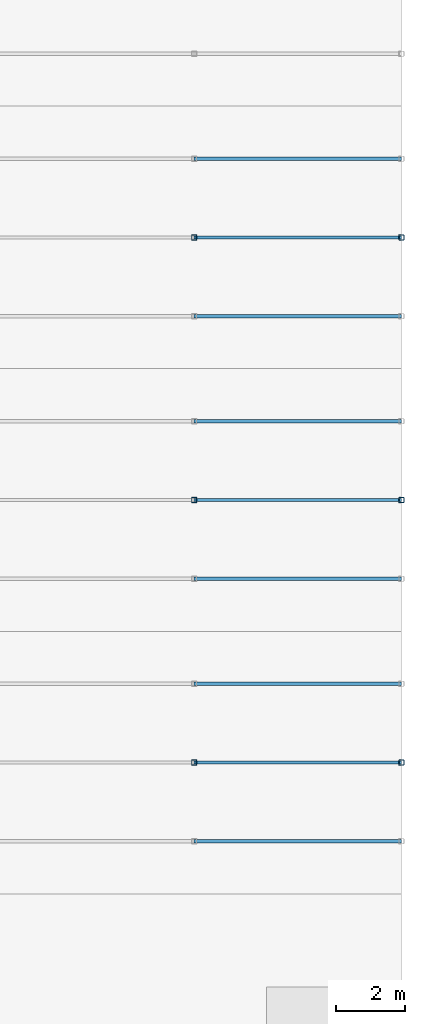
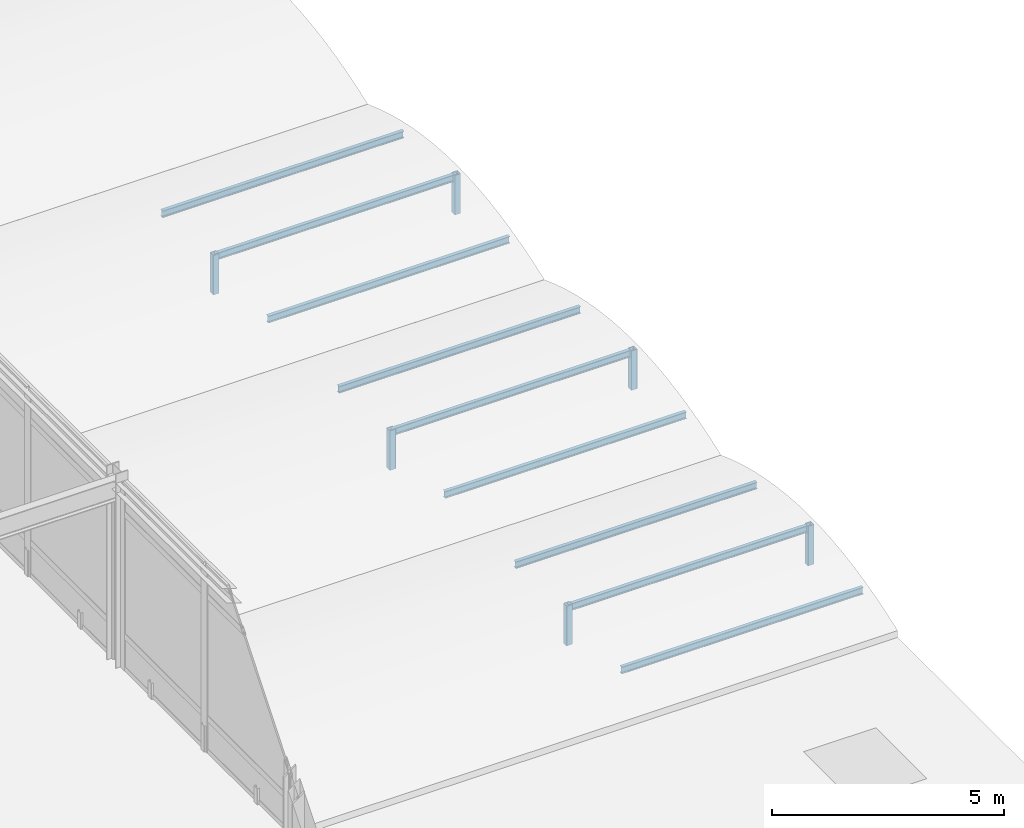
# One storey, part 66 of 113: 15 members.
"""IFC4 building model written with IfcOpenShell, lengths in metres."""

from ifc_helpers import new_model, si_unit, direction, frame, origin, origin_2d, place, context, subcontext, project, spatial, hollow_rectangle, i_section, extrude, material, material_profile, profile_set, type_object, element, save


model = new_model("IFC4")

# Units and contexts
model_context = context("Model", 3, precision=1e-05, world=origin(), true_north=direction((0.0, 1.0)))
body_context = subcontext(model_context, "Body", "Model", "MODEL_VIEW")
ifc_project = project(units=[si_unit("LENGTHUNIT", "METRE"), si_unit("AREAUNIT", "SQUARE_METRE"), si_unit("VOLUMEUNIT", "CUBIC_METRE"), si_unit("PLANEANGLEUNIT", "RADIAN"), si_unit("MASSUNIT", "GRAM", prefix="KILO")], contexts=[model_context])

# Site, building, storey
site_placement = place(None, origin())
site = spatial("IfcSite", under=ifc_project, at=site_placement, CompositionType="ELEMENT")
building_placement = place(site_placement, origin())
building = spatial("IfcBuilding", under=site, at=building_placement, Name="Shalkamar Park Central Library", CompositionType="ELEMENT")
storey_placement = place(building_placement, frame((0.0, 0.0, 5.39990234375)))
storey = spatial("IfcBuildingStorey", under=building, at=storey_placement, Name="L02", CompositionType="ELEMENT", Elevation=5.39990234375)

# Members
ifc_material = material(Name="Steel S355", Category="steel")
ifc_material_profile_1 = material_profile(ifc_material, hollow_rectangle(XDim=0.14990234375, YDim=0.14990234375, WallThickness=0.008056640625, InnerFilletRadius=0.008056640625, OuterFilletRadius=0.011962890625, at=origin_2d()), Name="SHS 150x150x8")
ifc_profile_set_1 = profile_set([ifc_material_profile_1], Name="Steel S355")
member_type_1 = type_object("IfcMemberType", Name="Diagonal Brace SHS150", PredefinedType="BRACE", material=ifc_profile_set_1)
for number, where, z_axis, x_axis, name in (
    (1, (282.0, 281.800048828125, -0.35986328125), (0.0, 0.0, 1.0), (1.0, 0.0, 0.0), "Vault Arch Post BV-L01-E4-21.2"),
    (2, (288.0, 281.800048828125, -0.35986328125), (0.0, 0.0, 1.0), (1.0, 0.0, 0.0), "Vault Arch Post BV-L01-E4-22.2"),
    (3, (282.0, 289.39990234375, -0.35986328125), (0.0, 0.0, 1.0), (1.0, 0.0, 0.0), "Vault Arch Post BV-L01-E5-21.2"),
    (4, (288.0, 289.39990234375, -0.35986328125), (0.0, 0.0, 1.0), (1.0, 0.0, 0.0), "Vault Arch Post BV-L01-E5-22.2"),
    (5, (282.0, 297.0, -0.35986328125), (0.0, 0.0, 1.0), (1.0, 0.0, 0.0), "Vault Arch Post BV-L01-E6-21.2"),
    (6, (288.0, 297.0, -0.35986328125), (0.0, 0.0, 1.0), (1.0, 0.0, 0.0), "Vault Arch Post BV-L01-E6-22.2"),
):
    element("IfcMember", number, at=place(storey_placement, frame(where, z_axis=z_axis, x_axis=x_axis)), inside=storey, type_object=member_type_1, Name=name, PredefinedType="BRACE", context=body_context, shape_type="SweptSolid", body=[
        extrude(hollow_rectangle(XDim=0.14990234375, YDim=0.14990234375, WallThickness=0.008056640625, InnerFilletRadius=0.008056640625, OuterFilletRadius=0.011962890625, at=origin_2d()), origin(), (0.0, 0.0, 1.0), 1.0400390625),
    ])
ifc_material_profile_2 = material_profile(ifc_material, i_section(OverallWidth=0.091064453125, OverallDepth=0.179931640625, WebThickness=0.00537109375, FlangeThickness=0.008056640625, FilletRadius=0.009033203125, at=origin_2d()), Name="IPE 180")
ifc_profile_set_2 = profile_set([ifc_material_profile_2], Name="Steel S355")
member_type_2 = type_object("IfcMemberType", Name="Roof Purlin IPE180", PredefinedType="PURLIN", material=ifc_profile_set_2)
for number, where, z_axis, x_axis, name in (
    (7, (282.0, 279.52001953125, 0.330810546875), (1.0, 0.0, 0.0), (0.0, 1.0, 0.0), "Barrel Roof Purlin BV-L01-E4-1.21"),
    (8, (282.0, 281.800048828125, 0.590087890625), (1.0, 0.0, 0.0), (0.0, 1.0, 0.0), "Barrel Roof Purlin BV-L01-E4-2.21"),
    (9, (282.0, 284.080078125, 0.330810546875), (1.0, 0.0, 0.0), (0.0, 1.0, 0.0), "Barrel Roof Purlin BV-L01-E4-3.21"),
    (10, (282.0, 287.1201171875, 0.330810546875), (1.0, 0.0, 0.0), (0.0, 1.0, 0.0), "Barrel Roof Purlin BV-L01-E5-1.21"),
    (11, (282.0, 289.39990234375, 0.590087890625), (1.0, 0.0, 0.0), (0.0, 1.0, 0.0), "Barrel Roof Purlin BV-L01-E5-2.21"),
    (12, (282.0, 291.679931640625, 0.330810546875), (1.0, 0.0, 0.0), (0.0, 1.0, 0.0), "Barrel Roof Purlin BV-L01-E5-3.21"),
    (13, (282.0, 294.719970703125, 0.330810546875), (1.0, 0.0, 0.0), (0.0, 1.0, 0.0), "Barrel Roof Purlin BV-L01-E6-1.21"),
    (14, (282.0, 297.0, 0.590087890625), (1.0, 0.0, 0.0), (0.0, 1.0, 0.0), "Barrel Roof Purlin BV-L01-E6-2.21"),
    (15, (282.0, 299.280029296875, 0.330810546875), (1.0, 0.0, 0.0), (0.0, 1.0, 0.0), "Barrel Roof Purlin BV-L01-E6-3.21"),
):
    element("IfcMember", number, at=place(storey_placement, frame(where, z_axis=z_axis, x_axis=x_axis)), inside=storey, type_object=member_type_2, Name=name, PredefinedType="PURLIN", context=body_context, shape_type="SweptSolid", body=[
        extrude(i_section(OverallWidth=0.091064453125, OverallDepth=0.179931640625, WebThickness=0.00537109375, FlangeThickness=0.008056640625, FilletRadius=0.009033203125, at=origin_2d()), origin(), (0.0, 0.0, 1.0), 6.0),
    ])

save(model, "model.ifc")
